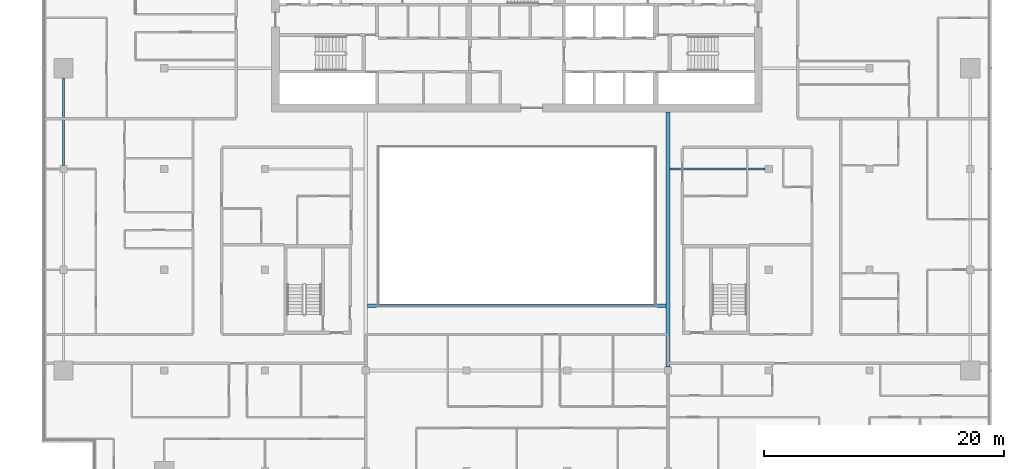
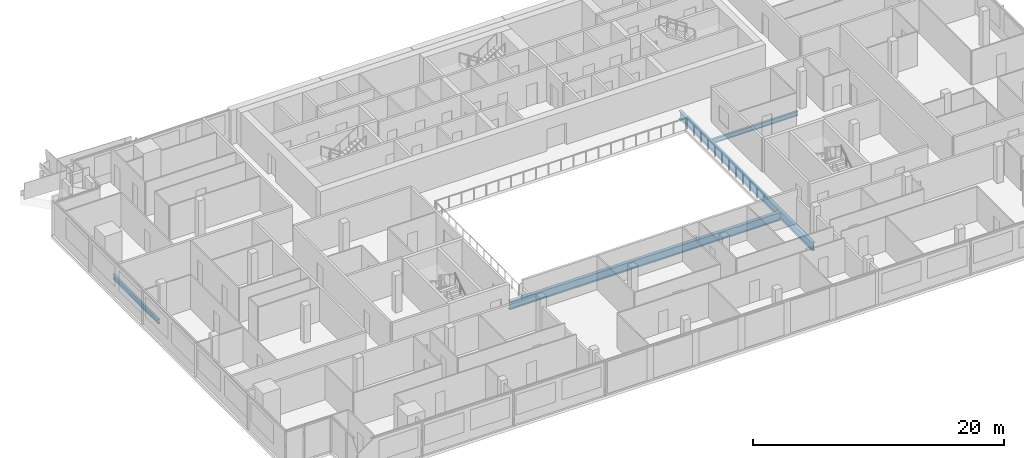
# One storey, part 9 of 30: 4 beams.
"""IFC4 building model written with IfcOpenShell, lengths in metres."""

from ifc_helpers import new_model, si_unit, direction, frame, origin, origin_2d, place, context, subcontext, project, spatial, i_section, extrude, material, material_profile, profile_set, type_object, element, save


model = new_model("IFC4")

# Units and contexts
model_context = context("Model", 3, precision=1e-05, world=origin(), true_north=direction((0.0, 1.0)))
body_context = subcontext(model_context, "Body", "Model", "MODEL_VIEW")
ifc_project = project(units=[si_unit("LENGTHUNIT", "METRE"), si_unit("AREAUNIT", "SQUARE_METRE"), si_unit("VOLUMEUNIT", "CUBIC_METRE"), si_unit("PLANEANGLEUNIT", "RADIAN"), si_unit("MASSUNIT", "GRAM", prefix="KILO")], contexts=[model_context])

# Site, building, storey
site_placement = place(None, origin())
site = spatial("IfcSite", under=ifc_project, at=site_placement, CompositionType="ELEMENT")
building_placement = place(site_placement, origin())
building = spatial("IfcBuilding", under=site, at=building_placement, Name="Saffron Gate Tower", CompositionType="ELEMENT")
storey_placement = place(building_placement, frame((0.0, 0.0, 237.89990234375)))
storey = spatial("IfcBuildingStorey", under=building, at=storey_placement, Name="L58", CompositionType="ELEMENT", Elevation=237.89990234375)

# Beams
ifc_material = material(Name="Structural steel S355", Category="steel")
ifc_material_profile_1 = material_profile(ifc_material, i_section(OverallWidth=0.300048828125, OverallDepth=0.7900390625, WebThickness=0.014892578125, FlangeThickness=0.028076171875, FilletRadius=0.030029296875, at=origin_2d()))
ifc_profile_set_1 = profile_set([ifc_material_profile_1], Name="Structural steel S355")
beam_type_1 = type_object("IfcBeamType", Name="B18 HEA 800", PredefinedType="BEAM", material=ifc_profile_set_1)
beam_1_placement = place(storey_placement, frame((100.199951171875, 40.5, -0.6748046875), z_axis=(0.0, 1.0, 0.0), x_axis=(-1.0, 0.0, 0.0)))
element("IfcBeam", 1, at=beam_1_placement, inside=storey, type_object=beam_type_1, Name="B18 ATRIUM GIRDER", PredefinedType="BEAM", context=body_context, shape_type="SweptSolid", body=[
    extrude(i_section(OverallWidth=0.300048828125, OverallDepth=0.7900390625, WebThickness=0.014892578125, FlangeThickness=0.028076171875, FilletRadius=0.030029296875, at=origin_2d()), origin(), (0.0, 0.0, 1.0), 21.25),
])
beam_2_placement = place(storey_placement, frame((75.14990234375, 45.60009765625, -0.6748046875), z_axis=(1.0, 0.0, 0.0), x_axis=(0.0, 1.0, 0.0)))
element("IfcBeam", 2, at=beam_2_placement, inside=storey, type_object=beam_type_1, Name="B18 ATRIUM GIRDER", PredefinedType="BEAM", context=body_context, shape_type="SweptSolid", body=[
    extrude(i_section(OverallWidth=0.300048828125, OverallDepth=0.7900390625, WebThickness=0.014892578125, FlangeThickness=0.028076171875, FilletRadius=0.030029296875, at=origin_2d()), origin(), (0.0, 0.0, 1.0), 24.900146484375),
])
ifc_material_profile_2 = material_profile(ifc_material, i_section(OverallWidth=0.18994140625, OverallDepth=0.449951171875, WebThickness=0.009521484375, FlangeThickness=0.0146484375, FilletRadius=0.02099609375, at=origin_2d()))
ifc_profile_set_2 = profile_set([ifc_material_profile_2], Name="Structural steel S355")
beam_type_2 = type_object("IfcBeamType", Name="B6 IPE 450", PredefinedType="BEAM", material=ifc_profile_set_2)
beam_3_placement = place(storey_placement, frame((108.300048828125, 57.0, -0.5048828125), z_axis=(-1.0, 0.0, 0.0), x_axis=(0.0, -1.0, 0.0)))
element("IfcBeam", 3, at=beam_3_placement, inside=storey, type_object=beam_type_2, Name="B6 CORE TIE BEAM", PredefinedType="BEAM", context=body_context, shape_type="SweptSolid", body=[
    extrude(i_section(OverallWidth=0.18994140625, OverallDepth=0.449951171875, WebThickness=0.009521484375, FlangeThickness=0.0146484375, FilletRadius=0.02099609375, at=origin_2d()), origin(), (0.0, 0.0, 1.0), 7.949951171875),
])
ifc_material_profile_3 = material_profile(ifc_material, i_section(OverallWidth=0.18994140625, OverallDepth=0.449951171875, WebThickness=0.009521484375, FlangeThickness=0.0146484375, FilletRadius=0.02099609375, at=origin_2d()))
ifc_profile_set_3 = profile_set([ifc_material_profile_3], Name="Structural steel S355")
beam_type_3 = type_object("IfcBeamType", Name="B7 IPE 450", PredefinedType="SPANDREL", material=ifc_profile_set_3)
beam_4_placement = place(storey_placement, frame((49.800048828125, 57.300048828125, -0.5048828125), z_axis=(0.0, 1.0, 0.0), x_axis=(-1.0, 0.0, 0.0)))
element("IfcBeam", 4, at=beam_4_placement, inside=storey, type_object=beam_type_3, Name="B7 SPANDREL BEAM", PredefinedType="SPANDREL", context=body_context, shape_type="SweptSolid", body=[
    extrude(i_section(OverallWidth=0.18994140625, OverallDepth=0.449951171875, WebThickness=0.009521484375, FlangeThickness=0.0146484375, FilletRadius=0.02099609375, at=origin_2d()), origin(), (0.0, 0.0, 1.0), 7.300048828125),
])

save(model, "model.ifc")
